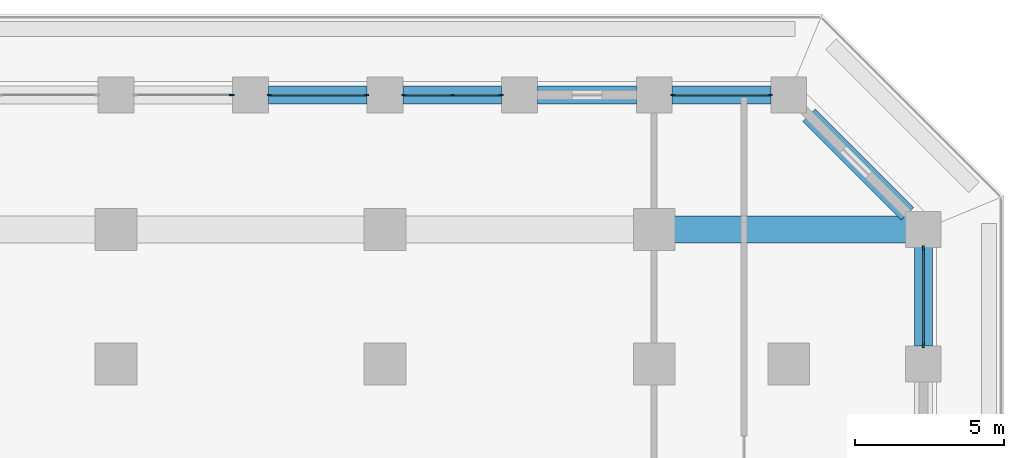
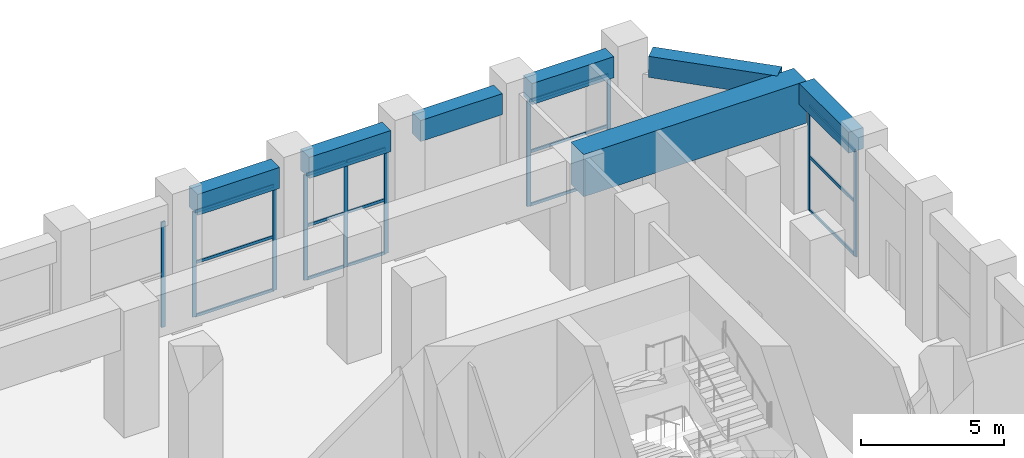
# One storey, part 9 of 24: 25 members, 7 beams, 5 elements without a shape of their own.
"""IFC4 building model written with IfcOpenShell, lengths in metres."""

from ifc_helpers import new_model, si_unit, direction, frame, origin, origin_2d, place, context, subcontext, project, spatial, rectangle, extrude, material, material_profile, profile_set, type_object, element, aggregate, save


model = new_model("IFC4")

# Units and contexts
model_context = context("Model", 3, precision=1e-05, world=origin(), true_north=direction((0.0, 1.0)))
body_context = subcontext(model_context, "Body", "Model", "MODEL_VIEW")
ifc_project = project(units=[si_unit("LENGTHUNIT", "METRE"), si_unit("AREAUNIT", "SQUARE_METRE"), si_unit("VOLUMEUNIT", "CUBIC_METRE"), si_unit("PLANEANGLEUNIT", "RADIAN"), si_unit("MASSUNIT", "GRAM", prefix="KILO")], contexts=[model_context])

# Site, building, storey
site_placement = place(None, origin())
site = spatial("IfcSite", under=ifc_project, at=site_placement, CompositionType="ELEMENT")
building_placement = place(site_placement, origin())
building = spatial("IfcBuilding", under=site, at=building_placement, Name="Corbel Stack Research Tower", CompositionType="ELEMENT")
storey_placement = place(building_placement, frame((0.0, 0.0, 145.39990234375)))
storey = spatial("IfcBuildingStorey", under=building, at=storey_placement, Name="L33", CompositionType="ELEMENT", Elevation=145.39990234375)

# Curtain wall, members
ifc_material_1 = material(Name="Aluminium frame, clear glass", Category="aluminium")
curtain_wall_type = type_object("IfcCurtainWallType", Name="Amenity floor curtain wall CW2", PredefinedType="NOTDEFINED", material=ifc_material_1)
curtain_wall_1_placement = place(storey_placement, origin())
curtain_wall_1 = element("IfcCurtainWall", 1, at=curtain_wall_1_placement, inside=storey, type_object=curtain_wall_type, Name="Curtain wall CW2 L33 E10", PredefinedType="NOTDEFINED")
ifc_material_2 = material(Name="Aluminium mullion", Category="aluminium")
ifc_material_profile_1 = material_profile(ifc_material_2, rectangle(XDim=0.06005859375, YDim=0.159912109375, at=origin_2d()), Name="Mullion 60 x 160")
ifc_profile_set_1 = profile_set([ifc_material_profile_1], Name="Aluminium mullion")
member_type_1 = type_object("IfcMemberType", Name="Curtain wall mullion 60 x 160", PredefinedType="MULLION", material=ifc_profile_set_1)
member_1_placement = place(storey_placement, frame((27.0, 23.1298828125, 0.0), z_axis=(0.0, 0.0, 1.0), x_axis=(-1.0, 0.0, 0.0)))
member_1 = element("IfcMember", 2, at=member_1_placement, type_object=member_type_1, Name="CW2 L33 E10 mullion 1", PredefinedType="MULLION", context=body_context, shape_type="SweptSolid", body=[
    extrude(rectangle(XDim=0.06005859375, YDim=0.159912109375, at=origin_2d()), origin(), (0.0, 0.0, 1.0), 4.5),
])
member_2_placement = place(storey_placement, frame((27.0, 26.3701171875, 0.0), z_axis=(0.0, 0.0, 1.0), x_axis=(-1.0, 0.0, 0.0)))
member_2 = element("IfcMember", 3, at=member_2_placement, type_object=member_type_1, Name="CW2 L33 E10 mullion 2", PredefinedType="MULLION", context=body_context, shape_type="SweptSolid", body=[
    extrude(rectangle(XDim=0.06005859375, YDim=0.159912109375, at=origin_2d()), origin(), (0.0, 0.0, 1.0), 4.5),
])

curtain_wall_2_placement = place(storey_placement, origin())
curtain_wall_2 = element("IfcCurtainWall", 4, at=curtain_wall_2_placement, inside=storey, type_object=curtain_wall_type, Name="Curtain wall CW2 L33 N01", PredefinedType="NOTDEFINED")
member_3_placement = place(storey_placement, frame((21.8701171875, 31.5, 0.0), z_axis=(0.0, 0.0, 1.0), x_axis=(0.0, -1.0, 0.0)))
member_3 = element("IfcMember", 5, at=member_3_placement, type_object=member_type_1, Name="CW2 L33 N01 mullion 1", PredefinedType="MULLION", context=body_context, shape_type="SweptSolid", body=[
    extrude(rectangle(XDim=0.06005859375, YDim=0.159912109375, at=origin_2d()), origin(), (0.0, 0.0, 1.0), 4.5),
])
member_4_placement = place(storey_placement, frame((18.6298828125, 31.5, 0.0), z_axis=(0.0, 0.0, 1.0), x_axis=(0.0, -1.0, 0.0)))
member_4 = element("IfcMember", 6, at=member_4_placement, type_object=member_type_1, Name="CW2 L33 N01 mullion 2", PredefinedType="MULLION", context=body_context, shape_type="SweptSolid", body=[
    extrude(rectangle(XDim=0.06005859375, YDim=0.159912109375, at=origin_2d()), origin(), (0.0, 0.0, 1.0), 4.5),
])

curtain_wall_3_placement = place(storey_placement, origin())
curtain_wall_3 = element("IfcCurtainWall", 7, at=curtain_wall_3_placement, inside=storey, type_object=curtain_wall_type, Name="Curtain wall CW2 L33 N03", PredefinedType="NOTDEFINED")
member_5_placement = place(storey_placement, frame((12.8701171875, 31.5, 0.0), z_axis=(0.0, 0.0, 1.0), x_axis=(0.0, -1.0, 0.0)))
member_5 = element("IfcMember", 8, at=member_5_placement, type_object=member_type_1, Name="CW2 L33 N03 mullion 1", PredefinedType="MULLION", context=body_context, shape_type="SweptSolid", body=[
    extrude(rectangle(XDim=0.06005859375, YDim=0.159912109375, at=origin_2d()), origin(), (0.0, 0.0, 1.0), 4.5),
])
member_6_placement = place(storey_placement, frame((11.25, 31.5, 0.0), z_axis=(0.0, 0.0, 1.0), x_axis=(0.0, -1.0, 0.0)))
member_6 = element("IfcMember", 9, at=member_6_placement, type_object=member_type_1, Name="CW2 L33 N03 mullion 2", PredefinedType="MULLION", context=body_context, shape_type="SweptSolid", body=[
    extrude(rectangle(XDim=0.06005859375, YDim=0.159912109375, at=origin_2d()), origin(), (0.0, 0.0, 1.0), 4.5),
])
member_7_placement = place(storey_placement, frame((9.6298828125, 31.5, 0.0), z_axis=(0.0, 0.0, 1.0), x_axis=(0.0, -1.0, 0.0)))
member_7 = element("IfcMember", 10, at=member_7_placement, type_object=member_type_1, Name="CW2 L33 N03 mullion 3", PredefinedType="MULLION", context=body_context, shape_type="SweptSolid", body=[
    extrude(rectangle(XDim=0.06005859375, YDim=0.159912109375, at=origin_2d()), origin(), (0.0, 0.0, 1.0), 4.5),
])

curtain_wall_4_placement = place(storey_placement, origin())
curtain_wall_4 = element("IfcCurtainWall", 11, at=curtain_wall_4_placement, inside=storey, type_object=curtain_wall_type, Name="Curtain wall CW2 L33 N04", PredefinedType="NOTDEFINED")
member_8_placement = place(storey_placement, frame((8.3701171875, 31.5, 0.0), z_axis=(0.0, 0.0, 1.0), x_axis=(0.0, -1.0, 0.0)))
member_8 = element("IfcMember", 12, at=member_8_placement, type_object=member_type_1, Name="CW2 L33 N04 mullion 1", PredefinedType="MULLION", context=body_context, shape_type="SweptSolid", body=[
    extrude(rectangle(XDim=0.06005859375, YDim=0.159912109375, at=origin_2d()), origin(), (0.0, 0.0, 1.0), 4.5),
])
member_9_placement = place(storey_placement, frame((5.1298828125, 31.5, 0.0), z_axis=(0.0, 0.0, 1.0), x_axis=(0.0, -1.0, 0.0)))
member_9 = element("IfcMember", 13, at=member_9_placement, type_object=member_type_1, Name="CW2 L33 N04 mullion 2", PredefinedType="MULLION", context=body_context, shape_type="SweptSolid", body=[
    extrude(rectangle(XDim=0.06005859375, YDim=0.159912109375, at=origin_2d()), origin(), (0.0, 0.0, 1.0), 4.5),
])

# Curtain wall, member
curtain_wall_5_placement = place(storey_placement, origin())
curtain_wall_5 = element("IfcCurtainWall", 14, at=curtain_wall_5_placement, inside=storey, type_object=curtain_wall_type, Name="Curtain wall CW2 L33 N05", PredefinedType="NOTDEFINED")
member_10_placement = place(storey_placement, frame((3.8701171875, 31.5, 0.0), z_axis=(0.0, 0.0, 1.0), x_axis=(0.0, -1.0, 0.0)))
member_10 = element("IfcMember", 15, at=member_10_placement, type_object=member_type_1, Name="CW2 L33 N05 mullion 1", PredefinedType="MULLION", context=body_context, shape_type="SweptSolid", body=[
    extrude(rectangle(XDim=0.06005859375, YDim=0.159912109375, at=origin_2d()), origin(), (0.0, 0.0, 1.0), 4.5),
])
aggregate(curtain_wall_5, [member_10])

# Member
ifc_material_3 = material(Name="Aluminium transom", Category="aluminium")
ifc_material_profile_2 = material_profile(ifc_material_3, rectangle(XDim=0.06005859375, YDim=0.1201171875, at=origin_2d()), Name="Transom 60 x 120")
ifc_profile_set_2 = profile_set([ifc_material_profile_2], Name="Aluminium transom")
member_type_2 = type_object("IfcMemberType", Name="Curtain wall transom 60 x 120", PredefinedType="USERDEFINED", material=ifc_profile_set_2)
member_11_placement = place(storey_placement, frame((27.0, 23.159912109375, 0.030029296875), z_axis=(0.0, 1.0, 0.0), x_axis=(-1.0, 0.0, 0.0)))
member_11 = element("IfcMember", 16, at=member_11_placement, type_object=member_type_2, Name="CW2 L33 E10 transom 1.1", ObjectType="TRANSOM", PredefinedType="USERDEFINED", context=body_context, shape_type="SweptSolid", body=[
    extrude(rectangle(XDim=0.06005859375, YDim=0.1201171875, at=origin_2d()), origin(), (0.0, 0.0, 1.0), 3.18017578125),
])

member_12_placement = place(storey_placement, frame((27.0, 23.159912109375, 2.300048828125), z_axis=(0.0, 1.0, 0.0), x_axis=(-1.0, 0.0, 0.0)))
member_12 = element("IfcMember", 17, at=member_12_placement, type_object=member_type_2, Name="CW2 L33 E10 transom 1.2", ObjectType="TRANSOM", PredefinedType="USERDEFINED", context=body_context, shape_type="SweptSolid", body=[
    extrude(rectangle(XDim=0.06005859375, YDim=0.1201171875, at=origin_2d()), origin(), (0.0, 0.0, 1.0), 3.18017578125),
])

member_13_placement = place(storey_placement, frame((27.0, 23.159912109375, 4.47021484375), z_axis=(0.0, 1.0, 0.0), x_axis=(-1.0, 0.0, 0.0)))
member_13 = element("IfcMember", 18, at=member_13_placement, type_object=member_type_2, Name="CW2 L33 E10 transom 1.3", ObjectType="TRANSOM", PredefinedType="USERDEFINED", context=body_context, shape_type="SweptSolid", body=[
    extrude(rectangle(XDim=0.06005859375, YDim=0.1201171875, at=origin_2d()), origin(), (0.0, 0.0, 1.0), 3.18017578125),
])

aggregate(curtain_wall_1, [member_1, member_2, member_11, member_12, member_13])

member_14_placement = place(storey_placement, frame((21.840087890625, 31.5, 0.030029296875), z_axis=(-1.0, 0.0, 0.0), x_axis=(0.0, -1.0, 0.0)))
member_14 = element("IfcMember", 19, at=member_14_placement, type_object=member_type_2, Name="CW2 L33 N01 transom 1.1", ObjectType="TRANSOM", PredefinedType="USERDEFINED", context=body_context, shape_type="SweptSolid", body=[
    extrude(rectangle(XDim=0.06005859375, YDim=0.1201171875, at=origin_2d()), origin(), (0.0, 0.0, 1.0), 3.18017578125),
])

member_15_placement = place(storey_placement, frame((21.840087890625, 31.5, 2.300048828125), z_axis=(-1.0, 0.0, 0.0), x_axis=(0.0, -1.0, 0.0)))
member_15 = element("IfcMember", 20, at=member_15_placement, type_object=member_type_2, Name="CW2 L33 N01 transom 1.2", ObjectType="TRANSOM", PredefinedType="USERDEFINED", context=body_context, shape_type="SweptSolid", body=[
    extrude(rectangle(XDim=0.06005859375, YDim=0.1201171875, at=origin_2d()), origin(), (0.0, 0.0, 1.0), 3.18017578125),
])

member_16_placement = place(storey_placement, frame((21.840087890625, 31.5, 4.47021484375), z_axis=(-1.0, 0.0, 0.0), x_axis=(0.0, -1.0, 0.0)))
member_16 = element("IfcMember", 21, at=member_16_placement, type_object=member_type_2, Name="CW2 L33 N01 transom 1.3", ObjectType="TRANSOM", PredefinedType="USERDEFINED", context=body_context, shape_type="SweptSolid", body=[
    extrude(rectangle(XDim=0.06005859375, YDim=0.1201171875, at=origin_2d()), origin(), (0.0, 0.0, 1.0), 3.18017578125),
])

aggregate(curtain_wall_2, [member_3, member_4, member_14, member_15, member_16])

member_17_placement = place(storey_placement, frame((12.840087890625, 31.5, 0.030029296875), z_axis=(-1.0, 0.0, 0.0), x_axis=(0.0, -1.0, 0.0)))
member_17 = element("IfcMember", 22, at=member_17_placement, type_object=member_type_2, Name="CW2 L33 N03 transom 1.1", ObjectType="TRANSOM", PredefinedType="USERDEFINED", context=body_context, shape_type="SweptSolid", body=[
    extrude(rectangle(XDim=0.06005859375, YDim=0.1201171875, at=origin_2d()), origin(), (0.0, 0.0, 1.0), 1.56005859375),
])

member_18_placement = place(storey_placement, frame((12.840087890625, 31.5, 2.300048828125), z_axis=(-1.0, 0.0, 0.0), x_axis=(0.0, -1.0, 0.0)))
member_18 = element("IfcMember", 23, at=member_18_placement, type_object=member_type_2, Name="CW2 L33 N03 transom 1.2", ObjectType="TRANSOM", PredefinedType="USERDEFINED", context=body_context, shape_type="SweptSolid", body=[
    extrude(rectangle(XDim=0.06005859375, YDim=0.1201171875, at=origin_2d()), origin(), (0.0, 0.0, 1.0), 1.56005859375),
])

member_19_placement = place(storey_placement, frame((12.840087890625, 31.5, 4.47021484375), z_axis=(-1.0, 0.0, 0.0), x_axis=(0.0, -1.0, 0.0)))
member_19 = element("IfcMember", 24, at=member_19_placement, type_object=member_type_2, Name="CW2 L33 N03 transom 1.3", ObjectType="TRANSOM", PredefinedType="USERDEFINED", context=body_context, shape_type="SweptSolid", body=[
    extrude(rectangle(XDim=0.06005859375, YDim=0.1201171875, at=origin_2d()), origin(), (0.0, 0.0, 1.0), 1.56005859375),
])

member_20_placement = place(storey_placement, frame((11.219970703125, 31.5, 0.030029296875), z_axis=(-1.0, 0.0, 0.0), x_axis=(0.0, -1.0, 0.0)))
member_20 = element("IfcMember", 25, at=member_20_placement, type_object=member_type_2, Name="CW2 L33 N03 transom 2.1", ObjectType="TRANSOM", PredefinedType="USERDEFINED", context=body_context, shape_type="SweptSolid", body=[
    extrude(rectangle(XDim=0.06005859375, YDim=0.1201171875, at=origin_2d()), origin(), (0.0, 0.0, 1.0), 1.56005859375),
])

member_21_placement = place(storey_placement, frame((11.219970703125, 31.5, 2.300048828125), z_axis=(-1.0, 0.0, 0.0), x_axis=(0.0, -1.0, 0.0)))
member_21 = element("IfcMember", 26, at=member_21_placement, type_object=member_type_2, Name="CW2 L33 N03 transom 2.2", ObjectType="TRANSOM", PredefinedType="USERDEFINED", context=body_context, shape_type="SweptSolid", body=[
    extrude(rectangle(XDim=0.06005859375, YDim=0.1201171875, at=origin_2d()), origin(), (0.0, 0.0, 1.0), 1.56005859375),
])

member_22_placement = place(storey_placement, frame((11.219970703125, 31.5, 4.47021484375), z_axis=(-1.0, 0.0, 0.0), x_axis=(0.0, -1.0, 0.0)))
member_22 = element("IfcMember", 27, at=member_22_placement, type_object=member_type_2, Name="CW2 L33 N03 transom 2.3", ObjectType="TRANSOM", PredefinedType="USERDEFINED", context=body_context, shape_type="SweptSolid", body=[
    extrude(rectangle(XDim=0.06005859375, YDim=0.1201171875, at=origin_2d()), origin(), (0.0, 0.0, 1.0), 1.56005859375),
])

aggregate(curtain_wall_3, [member_5, member_6, member_7, member_17, member_18, member_19, member_20, member_21, member_22])

member_23_placement = place(storey_placement, frame((8.340087890625, 31.5, 0.030029296875), z_axis=(-1.0, 0.0, 0.0), x_axis=(0.0, -1.0, 0.0)))
member_23 = element("IfcMember", 28, at=member_23_placement, type_object=member_type_2, Name="CW2 L33 N04 transom 1.1", ObjectType="TRANSOM", PredefinedType="USERDEFINED", context=body_context, shape_type="SweptSolid", body=[
    extrude(rectangle(XDim=0.06005859375, YDim=0.1201171875, at=origin_2d()), origin(), (0.0, 0.0, 1.0), 3.18017578125),
])

member_24_placement = place(storey_placement, frame((8.340087890625, 31.5, 2.300048828125), z_axis=(-1.0, 0.0, 0.0), x_axis=(0.0, -1.0, 0.0)))
member_24 = element("IfcMember", 29, at=member_24_placement, type_object=member_type_2, Name="CW2 L33 N04 transom 1.2", ObjectType="TRANSOM", PredefinedType="USERDEFINED", context=body_context, shape_type="SweptSolid", body=[
    extrude(rectangle(XDim=0.06005859375, YDim=0.1201171875, at=origin_2d()), origin(), (0.0, 0.0, 1.0), 3.18017578125),
])

member_25_placement = place(storey_placement, frame((8.340087890625, 31.5, 4.47021484375), z_axis=(-1.0, 0.0, 0.0), x_axis=(0.0, -1.0, 0.0)))
member_25 = element("IfcMember", 30, at=member_25_placement, type_object=member_type_2, Name="CW2 L33 N04 transom 1.3", ObjectType="TRANSOM", PredefinedType="USERDEFINED", context=body_context, shape_type="SweptSolid", body=[
    extrude(rectangle(XDim=0.06005859375, YDim=0.1201171875, at=origin_2d()), origin(), (0.0, 0.0, 1.0), 3.18017578125),
])

aggregate(curtain_wall_4, [member_8, member_9, member_23, member_24, member_25])

# Beams
ifc_material_4 = material(Name="Concrete C60/75", Category="concrete")
ifc_material_profile_3 = material_profile(ifc_material_4, rectangle(XDim=0.60009765625, YDim=0.89990234375, at=origin_2d()), Name="RC 600 x 900")
ifc_profile_set_3 = profile_set([ifc_material_profile_3], Name="Concrete C60/75")
beam_type_1 = type_object("IfcBeamType", Name="SB-600-900-600", PredefinedType="SPANDREL", material=ifc_profile_set_3)
beam_1_placement = place(storey_placement, frame((27.0, 23.10009765625, 4.9501953125), z_axis=(0.0, 1.0, 0.0), x_axis=(-1.0, 0.0, 0.0)))
element("IfcBeam", 31, at=beam_1_placement, inside=storey, type_object=beam_type_1, Name="Spandrel beam L33-21", PredefinedType="SPANDREL", context=body_context, shape_type="SweptSolid", body=[
    extrude(rectangle(XDim=0.60009765625, YDim=0.89990234375, at=origin_2d()), origin(), (0.0, 0.0, 1.0), 3.449951171875),
])
beam_2_placement = place(storey_placement, frame((26.47216796875, 27.52783203125, 4.9501953125), z_axis=(-0.707106781187, 0.707106781187, 0.0), x_axis=(-0.707106781187, -0.707106781187, 0.0)))
element("IfcBeam", 32, at=beam_2_placement, inside=storey, type_object=beam_type_1, Name="Spandrel beam L33-22", PredefinedType="SPANDREL", context=body_context, shape_type="SweptSolid", body=[
    extrude(rectangle(XDim=0.60009765625, YDim=0.89990234375, at=origin_2d()), origin(), (0.0, 0.0, 1.0), 4.658935546875),
])
for number, where, z_axis, x_axis, name in (
    (33, (21.89990234375, 31.5, 4.9501953125), (-1.0, 0.0, 0.0), (0.0, -1.0, 0.0), "Spandrel beam L33-23"),
    (34, (17.39990234375, 31.5, 4.9501953125), (-1.0, 0.0, 0.0), (0.0, -1.0, 0.0), "Spandrel beam L33-24"),
    (35, (12.89990234375, 31.5, 4.9501953125), (-1.0, 0.0, 0.0), (0.0, -1.0, 0.0), "Spandrel beam L33-25"),
    (36, (8.39990234375, 31.5, 4.9501953125), (-1.0, 0.0, 0.0), (0.0, -1.0, 0.0), "Spandrel beam L33-26"),
):
    element("IfcBeam", number, at=place(storey_placement, frame(where, z_axis=z_axis, x_axis=x_axis)), inside=storey, type_object=beam_type_1, Name=name, PredefinedType="SPANDREL", context=body_context, shape_type="SweptSolid", body=[
        extrude(rectangle(XDim=0.60009765625, YDim=0.89990234375, at=origin_2d()), origin(), (0.0, 0.0, 1.0), 3.2998046875),
    ])
ifc_material_5 = material(Name="Concrete C60/75", Category="concrete")
ifc_material_profile_4 = material_profile(ifc_material_5, rectangle(XDim=0.89990234375, YDim=1.800048828125, at=origin_2d()), Name="RC 900 x 1800")
ifc_profile_set_4 = profile_set([ifc_material_profile_4], Name="Concrete C60/75")
beam_type_2 = type_object("IfcBeamType", Name="TG-900-1800", PredefinedType="BEAM", material=ifc_profile_set_4)
beam_3_placement = place(storey_placement, frame((18.0, 27.0, 4.5), z_axis=(1.0, 0.0, 0.0), x_axis=(0.0, 1.0, 0.0)))
element("IfcBeam", 37, at=beam_3_placement, inside=storey, type_object=beam_type_2, Name="Transfer girder along the step L33 Nl18", PredefinedType="BEAM", context=body_context, shape_type="SweptSolid", body=[
    extrude(rectangle(XDim=0.89990234375, YDim=1.800048828125, at=origin_2d()), origin(), (0.0, 0.0, 1.0), 9.0),
])

save(model, "model.ifc")
